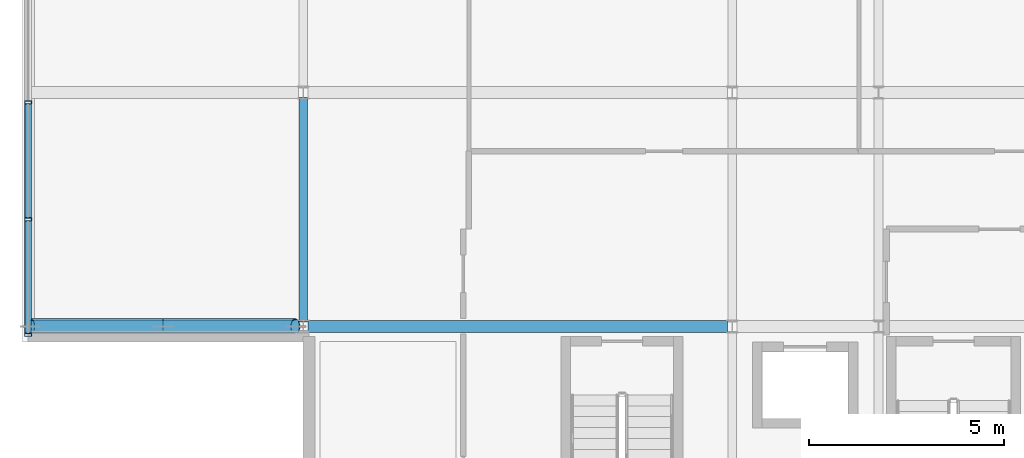
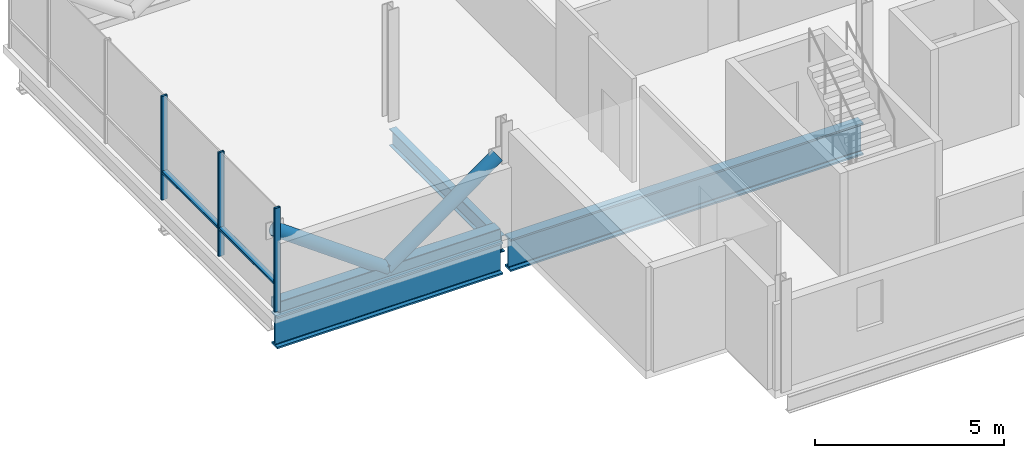
# One storey, part 2 of 18: 8 members, 3 beams, 1 element without a shape of its own.
"""IFC4 building model written with IfcOpenShell, lengths in metres."""

from ifc_helpers import new_model, si_unit, direction, frame, origin, origin_2d, place, context, subcontext, project, spatial, hollow_rectangle, hollow_circle, i_section, extrude, material, layer, layer_set, material_profile, profile_set, type_object, element, aggregate, save


model = new_model("IFC4")

# Units and contexts
model_context = context("Model", 3, precision=1e-05, world=origin(), true_north=direction((0.0, 1.0)))
body_context = subcontext(model_context, "Body", "Model", "MODEL_VIEW")
ifc_project = project(units=[si_unit("LENGTHUNIT", "METRE"), si_unit("AREAUNIT", "SQUARE_METRE"), si_unit("VOLUMEUNIT", "CUBIC_METRE"), si_unit("PLANEANGLEUNIT", "RADIAN"), si_unit("MASSUNIT", "GRAM", prefix="KILO")], contexts=[model_context])

# Site, building, storey
site_placement = place(None, origin())
site = spatial("IfcSite", under=ifc_project, at=site_placement, CompositionType="ELEMENT")
building_placement = place(site_placement, origin())
building = spatial("IfcBuilding", under=site, at=building_placement, Name="Brevholm Reach", CompositionType="ELEMENT")
storey_placement = place(building_placement, frame((0.0, 0.0, 243.64990234375)))
storey = spatial("IfcBuildingStorey", under=building, at=storey_placement, Name="L74", CompositionType="ELEMENT", Elevation=243.64990234375)

# Beams
ifc_material_1 = material(Name="Structural Steel S355J2", Category="steel")
ifc_material_profile_1 = material_profile(ifc_material_1, i_section(OverallWidth=0.210693359375, OverallDepth=0.53955078125, WebThickness=0.01171875, FlangeThickness=0.018798828125, FilletRadius=0.0126953125, at=origin_2d()), Name="UKB 533x210x109")
ifc_profile_set_1 = profile_set([ifc_material_profile_1], Name="Structural Steel S355J2")
beam_type_1 = type_object("IfcBeamType", Name="BM-SP539", PredefinedType="SPANDREL", material=ifc_profile_set_1)
beam_1_placement = place(storey_placement, frame((27.25, 10.1201171875, -0.51953125), z_axis=(0.0, 1.0, 0.0), x_axis=(-1.0, 0.0, 0.0)))
element("IfcBeam", 1, at=beam_1_placement, inside=storey, type_object=beam_type_1, Name="L74 SP-01B Framing Beam", PredefinedType="SPANDREL", context=body_context, shape_type="SweptSolid", body=[
    extrude(i_section(OverallWidth=0.210693359375, OverallDepth=0.53955078125, WebThickness=0.01171875, FlangeThickness=0.018798828125, FilletRadius=0.0126953125, at=origin_2d()), origin(), (0.0, 0.0, 1.0), 5.759765625),
])
ifc_material_2 = material(Name="Structural Steel S460ML", Category="steel")
ifc_material_profile_2 = material_profile(ifc_material_2, i_section(OverallWidth=0.30859375, OverallDepth=1.036376953125, WebThickness=0.030029296875, FlangeThickness=0.05419921875, FilletRadius=0.030029296875, at=origin_2d()), Name="UKB 1016x305x487")
ifc_profile_set_2 = profile_set([ifc_material_profile_2], Name="Structural Steel S460ML")
beam_type_2 = type_object("IfcBeamType", Name="BM-UKB1016", PredefinedType="USERDEFINED", material=ifc_profile_set_2)
beam_2_placement = place(storey_placement, frame((20.25, 10.0, -0.76806640625), z_axis=(1.0, 0.0, 0.0), x_axis=(0.0, 1.0, 0.0)))
element("IfcBeam", 2, at=beam_2_placement, inside=storey, type_object=beam_type_2, Name="L74 Sky-Lounge Cantilever Girder", ObjectType="GIRDER", PredefinedType="USERDEFINED", context=body_context, shape_type="SweptSolid", body=[
    extrude(i_section(OverallWidth=0.30859375, OverallDepth=1.036376953125, WebThickness=0.030029296875, FlangeThickness=0.05419921875, FilletRadius=0.030029296875, at=origin_2d()), origin(), (0.0, 0.0, 1.0), 6.8798828125),
])
beam_3_placement = place(storey_placement, frame((27.3701171875, 10.0, -0.76806640625), z_axis=(1.0, 0.0, 0.0), x_axis=(0.0, 1.0, 0.0)))
element("IfcBeam", 3, at=beam_3_placement, inside=storey, type_object=beam_type_2, Name="L74 Sky-Lounge Back-Span Girder 1", ObjectType="GIRDER", PredefinedType="USERDEFINED", context=body_context, shape_type="SweptSolid", body=[
    extrude(i_section(OverallWidth=0.30859375, OverallDepth=1.036376953125, WebThickness=0.030029296875, FlangeThickness=0.05419921875, FilletRadius=0.030029296875, at=origin_2d()), origin(), (0.0, 0.0, 1.0), 10.759765625),
])

# Curtain wall, members
ifc_material_3 = material(Name="Dark Anodised Aluminium 6063-T6 and Solar-Control Glass", Category="aluminium")
ifc_layer = layer(ifc_material_3, 0.179931640625)
ifc_layer_set = layer_set([ifc_layer], Name="Dark Anodised Aluminium 6063-T6 and Solar-Control Glass")
curtain_wall_type = type_object("IfcCurtainWallType", Name="CW-05", PredefinedType="NOTDEFINED", material=ifc_layer_set)
curtain_wall_placement = place(storey_placement, origin())
curtain_wall = element("IfcCurtainWall", 4, at=curtain_wall_placement, inside=storey, type_object=curtain_wall_type, Name="L74 Curtain Wall CW-05", PredefinedType="NOTDEFINED")
ifc_material_4 = material(Name="Dark Anodised Aluminium 6063-T6", Category="aluminium")
ifc_material_profile_3 = material_profile(ifc_material_4, hollow_rectangle(XDim=0.074951171875, YDim=0.179931640625, WallThickness=0.006103515625, InnerFilletRadius=0.006103515625, OuterFilletRadius=0.011962890625, at=origin_2d()), Name="RHS 180x75x6")
ifc_profile_set_3 = profile_set([ifc_material_profile_3], Name="Dark Anodised Aluminium 6063-T6")
member_type_1 = type_object("IfcMemberType", Name="CWM-180", PredefinedType="MULLION", material=ifc_profile_set_3)
member_1_placement = place(storey_placement, frame((20.199951171875, 9.78759765625, 0.0), z_axis=(0.0, 0.0, 1.0), x_axis=(0.0, 1.0, 0.0)))
member_1 = element("IfcMember", 5, at=member_1_placement, type_object=member_type_1, Name="CM-180 Mullion 1", PredefinedType="MULLION", context=body_context, shape_type="SweptSolid", body=[
    extrude(hollow_rectangle(XDim=0.074951171875, YDim=0.179931640625, WallThickness=0.006103515625, InnerFilletRadius=0.006103515625, OuterFilletRadius=0.011962890625, at=origin_2d()), origin(), (0.0, 0.0, 1.0), 3.340087890625),
])
member_2_placement = place(storey_placement, frame((20.199951171875, 12.75, 0.0), z_axis=(0.0, 0.0, 1.0), x_axis=(0.0, 1.0, 0.0)))
member_2 = element("IfcMember", 6, at=member_2_placement, type_object=member_type_1, Name="CM-180 Mullion 2", PredefinedType="MULLION", context=body_context, shape_type="SweptSolid", body=[
    extrude(hollow_rectangle(XDim=0.074951171875, YDim=0.179931640625, WallThickness=0.006103515625, InnerFilletRadius=0.006103515625, OuterFilletRadius=0.011962890625, at=origin_2d()), origin(), (0.0, 0.0, 1.0), 3.340087890625),
])
member_3_placement = place(storey_placement, frame((20.199951171875, 15.75, 0.0), z_axis=(0.0, 0.0, 1.0), x_axis=(0.0, 1.0, 0.0)))
member_3 = element("IfcMember", 7, at=member_3_placement, type_object=member_type_1, Name="CM-180 Mullion 3", PredefinedType="MULLION", context=body_context, shape_type="SweptSolid", body=[
    extrude(hollow_rectangle(XDim=0.074951171875, YDim=0.179931640625, WallThickness=0.006103515625, InnerFilletRadius=0.006103515625, OuterFilletRadius=0.011962890625, at=origin_2d()), origin(), (0.0, 0.0, 1.0), 3.340087890625),
])
ifc_material_5 = material(Name="Dark Anodised Aluminium 6063-T6", Category="aluminium")
ifc_material_profile_4 = material_profile(ifc_material_5, hollow_rectangle(XDim=0.074951171875, YDim=0.179931640625, WallThickness=0.006103515625, InnerFilletRadius=0.006103515625, OuterFilletRadius=0.011962890625, at=origin_2d()), Name="RHS 180x75x6")
ifc_profile_set_4 = profile_set([ifc_material_profile_4], Name="Dark Anodised Aluminium 6063-T6")
member_type_2 = type_object("IfcMemberType", Name="CWT-180", PredefinedType="NOTDEFINED", material=ifc_profile_set_4)
member_4_placement = place(storey_placement, frame((20.199951171875, 9.824951171875, 0.900146484375), z_axis=(0.0, 1.0, 0.0), x_axis=(0.0, 0.0, 1.0)))
member_4 = element("IfcMember", 8, at=member_4_placement, type_object=member_type_2, Name="CT-180 Transom 1.1", ObjectType="TRANSOM", PredefinedType="USERDEFINED", context=body_context, shape_type="SweptSolid", body=[
    extrude(hollow_rectangle(XDim=0.074951171875, YDim=0.179931640625, WallThickness=0.006103515625, InnerFilletRadius=0.006103515625, OuterFilletRadius=0.011962890625, at=origin_2d()), origin(), (0.0, 0.0, 1.0), 2.887451171875),
])
member_5_placement = place(storey_placement, frame((20.199951171875, 12.78759765625, 0.900146484375), z_axis=(0.0, 1.0, 0.0), x_axis=(0.0, 0.0, 1.0)))
member_5 = element("IfcMember", 9, at=member_5_placement, type_object=member_type_2, Name="CT-180 Transom 2.1", ObjectType="TRANSOM", PredefinedType="USERDEFINED", context=body_context, shape_type="SweptSolid", body=[
    extrude(hollow_rectangle(XDim=0.074951171875, YDim=0.179931640625, WallThickness=0.006103515625, InnerFilletRadius=0.006103515625, OuterFilletRadius=0.011962890625, at=origin_2d()), origin(), (0.0, 0.0, 1.0), 2.9248046875),
])
aggregate(curtain_wall, [member_1, member_2, member_3, member_4, member_5])

# Members
ifc_material_6 = material(Name="Structural Steel S460NH", Category="steel")
ifc_material_profile_5 = material_profile(ifc_material_6, hollow_circle(Radius=0.203125, WallThickness=0.01611328125, at=origin_2d()), Name="CHS 406.4x16")
ifc_profile_set_5 = profile_set([ifc_material_profile_5], Name="Structural Steel S460NH")
member_type_3 = type_object("IfcMemberType", Name="MEM-TB-CHS406", PredefinedType="BRACE", material=ifc_profile_set_5)
member_6_placement = place(storey_placement, frame((27.050048828125, 10.0, 2.5), z_axis=(-0.811325453495, 0.0, -0.584594738696), x_axis=(0.0, -1.0, 0.0)))
element("IfcMember", 10, at=member_6_placement, inside=storey, type_object=member_type_3, Name="L74 Sky-Lounge Cantilever Truss Diagonal Y10.1", PredefinedType="BRACE", context=body_context, shape_type="SweptSolid", body=[
    extrude(hollow_circle(Radius=0.203125, WallThickness=0.01611328125, at=origin_2d()), origin(), (0.0, 0.0, 1.0), 4.19091796875),
])
member_7_placement = place(storey_placement, frame((23.64990234375, 10.0, 0.050048828125), z_axis=(-0.81130554318, 0.0, 0.584622370086), x_axis=(0.0, -1.0, 0.0)))
element("IfcMember", 11, at=member_7_placement, inside=storey, type_object=member_type_3, Name="L74 Sky-Lounge Cantilever Truss Diagonal Y10.2", PredefinedType="BRACE", context=body_context, shape_type="SweptSolid", body=[
    extrude(hollow_circle(Radius=0.203125, WallThickness=0.01611328125, at=origin_2d()), origin(), (0.0, 0.0, 1.0), 4.190673828125),
])
ifc_material_7 = material(Name="Structural Steel S460NH", Category="steel")
ifc_material_profile_6 = material_profile(ifc_material_7, hollow_rectangle(XDim=0.35009765625, YDim=0.35009765625, WallThickness=0.01611328125, InnerFilletRadius=0.011962890625, OuterFilletRadius=0.02392578125, at=origin_2d()), Name="SHS 350x350x16")
ifc_profile_set_6 = profile_set([ifc_material_profile_6], Name="Structural Steel S460NH")
member_type_4 = type_object("IfcMemberType", Name="MEM-TC-SHS350", PredefinedType="CHORD", material=ifc_profile_set_6)
member_8_placement = place(storey_placement, frame((20.25, 10.0, 0.050048828125), z_axis=(1.0, 0.0, 0.0), x_axis=(0.0, 1.0, 0.0)))
element("IfcMember", 12, at=member_8_placement, inside=storey, type_object=member_type_4, Name="L74 Sky-Lounge Truss Bottom Chord Y10", PredefinedType="CHORD", context=body_context, shape_type="SweptSolid", body=[
    extrude(hollow_rectangle(XDim=0.35009765625, YDim=0.35009765625, WallThickness=0.01611328125, InnerFilletRadius=0.011962890625, OuterFilletRadius=0.02392578125, at=origin_2d()), origin(), (0.0, 0.0, 1.0), 6.800048828125),
])

save(model, "model.ifc")
